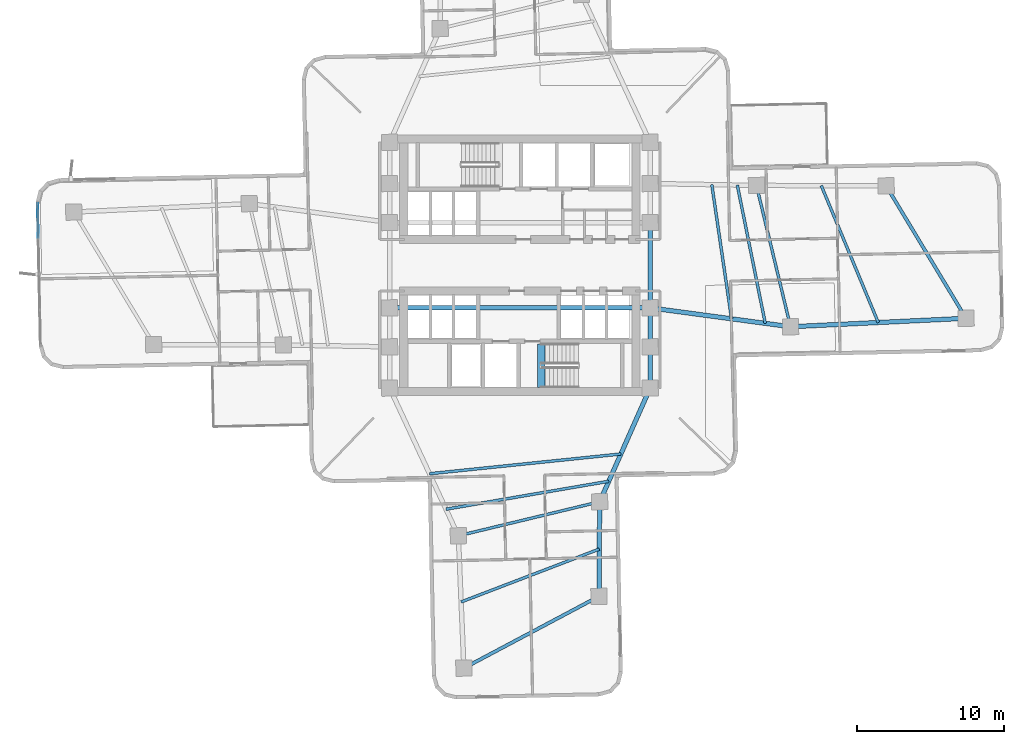
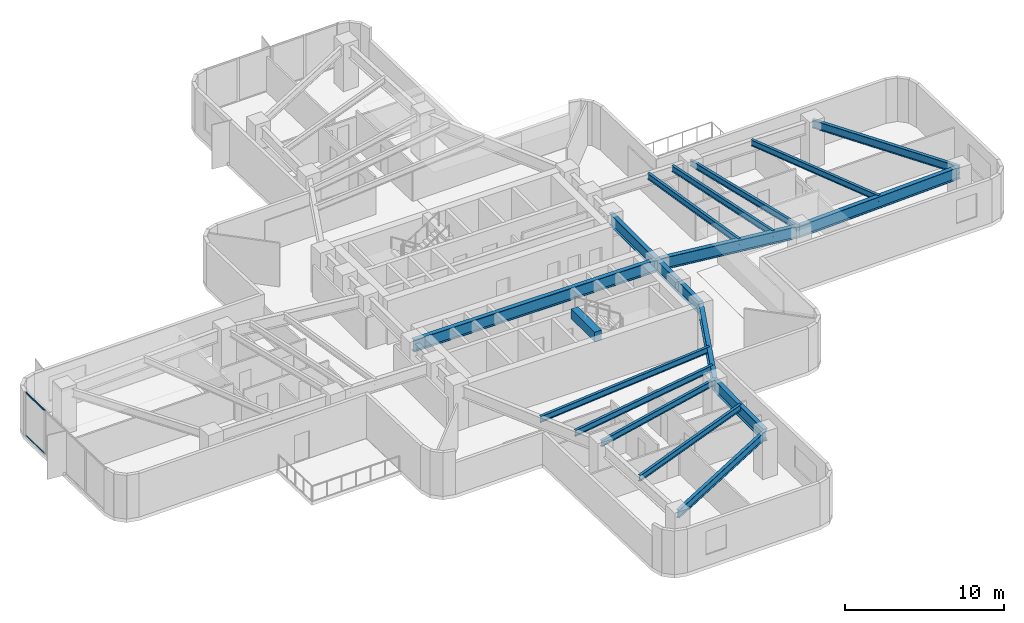
# One storey, part 3 of 15: 19 beams, 2 members, 1 element without a shape of its own.
"""IFC4 building model written with IfcOpenShell, lengths in metres."""

from ifc_helpers import new_model, si_unit, direction, frame, origin, origin_2d, place, context, subcontext, project, spatial, rectangle, i_section, extrude, material, layer, layer_set, material_profile, profile_set, type_object, element, aggregate, save


model = new_model("IFC4")

# Units and contexts
model_context = context("Model", 3, precision=1e-05, world=origin(), true_north=direction((0.0, 1.0)))
body_context = subcontext(model_context, "Body", "Model", "MODEL_VIEW")
ifc_project = project(units=[si_unit("LENGTHUNIT", "METRE"), si_unit("AREAUNIT", "SQUARE_METRE"), si_unit("VOLUMEUNIT", "CUBIC_METRE"), si_unit("PLANEANGLEUNIT", "RADIAN"), si_unit("MASSUNIT", "GRAM", prefix="KILO")], contexts=[model_context])

# Site, building, storey
site_placement = place(None, origin())
site = spatial("IfcSite", under=ifc_project, at=site_placement, CompositionType="ELEMENT")
building_placement = place(site_placement, origin())
building = spatial("IfcBuilding", under=site, at=building_placement, Name="Solmarez Civic Tower", CompositionType="ELEMENT")
storey_placement = place(building_placement, frame((0.0, 0.0, 38.8798828125)))
storey = spatial("IfcBuildingStorey", under=building, at=storey_placement, Name="L09", CompositionType="ELEMENT", Elevation=38.8798828125)

# Beams
ifc_material_1 = material(Name="Steel S355", Category="steel")
ifc_material_profile_1 = material_profile(ifc_material_1, i_section(OverallWidth=0.19189453125, OverallDepth=0.462890625, WebThickness=0.010498046875, FlangeThickness=0.017578125, at=origin_2d()), Name="W18X60")
ifc_profile_set_1 = profile_set([ifc_material_profile_1], Name="Steel S355")
beam_type_1 = type_object("IfcBeamType", Name="BM-JS-W18X60", PredefinedType="JOIST", material=ifc_profile_set_1)
beam_1_placement = place(storey_placement, frame((18.39111328125, -4.18408203125, 3.109130859375), z_axis=(-0.234328919867, 0.97215737271, 0.0), x_axis=(-0.97215737271, -0.234328919867, 0.0)))
element("IfcBeam", 1, at=beam_1_placement, inside=storey, type_object=beam_type_1, Name="L09 Secondary Floor Joist BM-L09-EA-T1", PredefinedType="JOIST", context=body_context, shape_type="SweptSolid", body=[
    extrude(i_section(OverallWidth=0.19189453125, OverallDepth=0.462890625, WebThickness=0.010498046875, FlangeThickness=0.017578125, at=origin_2d()), origin(), (0.0, 0.0, 1.0), 9.880126953125),
])
beam_2_placement = place(storey_placement, frame((24.35498046875, -3.89697265625, 3.109130859375), z_axis=(-0.384310898391, 0.923203733408, 0.0), x_axis=(-0.923203733408, -0.384310898391, 0.0)))
element("IfcBeam", 2, at=beam_2_placement, inside=storey, type_object=beam_type_1, Name="L09 Secondary Floor Joist JS-L09-EA-M2", PredefinedType="JOIST", context=body_context, shape_type="SweptSolid", body=[
    extrude(i_section(OverallWidth=0.19189453125, OverallDepth=0.462890625, WebThickness=0.010498046875, FlangeThickness=0.017578125, at=origin_2d()), origin(), (0.0, 0.0, 1.0), 10.077880859375),
])
beam_3_placement = place(storey_placement, frame((14.384033203125, -3.64501953125, 3.109130859375), z_axis=(-0.145687649447, 0.989330636743, 0.0), x_axis=(-0.989330636743, -0.145687649447, 0.0)))
element("IfcBeam", 3, at=beam_3_placement, inside=storey, type_object=beam_type_1, Name="L09 Secondary Floor Joist JS-L09-EA-M11", PredefinedType="JOIST", context=body_context, shape_type="SweptSolid", body=[
    extrude(i_section(OverallWidth=0.19189453125, OverallDepth=0.462890625, WebThickness=0.010498046875, FlangeThickness=0.017578125, at=origin_2d()), origin(), (0.0, 0.0, 1.0), 9.218505859375),
])
beam_4_placement = place(storey_placement, frame((16.674072265625, -3.952880859375, 3.109130859375), z_axis=(-0.198099134772, 0.980181989634, 0.0), x_axis=(-0.980181989634, -0.198099134772, 0.0)))
element("IfcBeam", 4, at=beam_4_placement, inside=storey, type_object=beam_type_1, Name="L09 Secondary Floor Joist JS-L09-EA-M12", PredefinedType="JOIST", context=body_context, shape_type="SweptSolid", body=[
    extrude(i_section(OverallWidth=0.19189453125, OverallDepth=0.462890625, WebThickness=0.010498046875, FlangeThickness=0.017578125, at=origin_2d()), origin(), (0.0, 0.0, 1.0), 9.5869140625),
])
beam_5_placement = place(storey_placement, frame((-4.18408203125, -18.39111328125, 3.109130859375), z_axis=(0.97215737271, 0.234328919867, 0.0), x_axis=(-0.234328919867, 0.97215737271, 0.0)))
element("IfcBeam", 5, at=beam_5_placement, inside=storey, type_object=beam_type_1, Name="L09 Secondary Floor Joist BM-L09-SA-T1", PredefinedType="JOIST", context=body_context, shape_type="SweptSolid", body=[
    extrude(i_section(OverallWidth=0.19189453125, OverallDepth=0.462890625, WebThickness=0.010498046875, FlangeThickness=0.017578125, at=origin_2d()), origin(), (0.0, 0.0, 1.0), 9.880126953125),
])
beam_6_placement = place(storey_placement, frame((-3.9951171875, -22.886962890625, 3.109130859375), z_axis=(0.933878315551, 0.357590955903, 0.0), x_axis=(-0.357590955903, 0.933878315551, 0.0)))
element("IfcBeam", 6, at=beam_6_placement, inside=storey, type_object=beam_type_1, Name="L09 Secondary Floor Joist JS-L09-SA-M2", PredefinedType="JOIST", context=body_context, shape_type="SweptSolid", body=[
    extrude(i_section(OverallWidth=0.19189453125, OverallDepth=0.462890625, WebThickness=0.010498046875, FlangeThickness=0.017578125, at=origin_2d()), origin(), (0.0, 0.0, 1.0), 10.05615234375),
])
beam_7_placement = place(storey_placement, frame((-6.14404296875, -14.174072265625, 3.109130859375), z_axis=(0.9947100999, 0.102722038325, 0.0), x_axis=(-0.102722038325, 0.9947100999, 0.0)))
element("IfcBeam", 7, at=beam_7_placement, inside=storey, type_object=beam_type_1, Name="L09 Secondary Floor Joist JS-L09-SA-M11", PredefinedType="JOIST", context=body_context, shape_type="SweptSolid", body=[
    extrude(i_section(OverallWidth=0.19189453125, OverallDepth=0.462890625, WebThickness=0.010498046875, FlangeThickness=0.017578125, at=origin_2d()), origin(), (0.0, 0.0, 1.0), 13.07421875),
])
beam_8_placement = place(storey_placement, frame((-5.02392578125, -16.583984375, 3.109130859375), z_axis=(0.985583934907, 0.169187195889, 0.0), x_axis=(-0.169187195889, 0.985583934907, 0.0)))
element("IfcBeam", 8, at=beam_8_placement, inside=storey, type_object=beam_type_1, Name="L09 Secondary Floor Joist JS-L09-SA-M12", PredefinedType="JOIST", context=body_context, shape_type="SweptSolid", body=[
    extrude(i_section(OverallWidth=0.19189453125, OverallDepth=0.462890625, WebThickness=0.010498046875, FlangeThickness=0.017578125, at=origin_2d()), origin(), (0.0, 0.0, 1.0), 11.223876953125),
])
ifc_material_2 = material(Name="Concrete C50/60", Category="concrete")
ifc_material_profile_2 = material_profile(ifc_material_2, rectangle(XDim=0.5, YDim=0.75, at=origin_2d()), Name="RC500X750")
ifc_profile_set_2 = profile_set([ifc_material_profile_2], Name="Concrete C50/60")
beam_type_2 = type_object("IfcBeamType", Name="BM-PR-RC500X750", PredefinedType="BEAM", material=ifc_profile_set_2)
beam_9_placement = place(storey_placement, frame((1.449951171875, -8.300048828125, 3.233154296875), z_axis=(0.0, 1.0, 0.0), x_axis=(-1.0, 0.0, 0.0)))
element("IfcBeam", 9, at=beam_9_placement, inside=storey, type_object=beam_type_2, Name="L09 South Stair Threshold Beam", PredefinedType="BEAM", context=body_context, shape_type="SweptSolid", body=[
    extrude(rectangle(XDim=0.5, YDim=0.75, at=origin_2d()), origin(), (0.0, 0.0, 1.0), 2.9599609375),
])
ifc_material_profile_3 = material_profile(ifc_material_1, i_section(OverallWidth=0.303955078125, OverallDepth=0.910888671875, WebThickness=0.015869140625, FlangeThickness=0.02392578125, at=origin_2d()), Name="W36X150")
ifc_profile_set_3 = profile_set([ifc_material_profile_3], Name="Steel S355")
beam_type_3 = type_object("IfcBeamType", Name="BM-PR-W36X150", PredefinedType="BEAM", material=ifc_profile_set_3)
beam_10_placement = place(storey_placement, frame((8.85009765625, -2.89990234375, 2.884033203125), z_axis=(0.991063240718, -0.133392851745, 0.0), x_axis=(0.133392851745, 0.991063240718, 0.0)))
element("IfcBeam", 10, at=beam_10_placement, inside=storey, type_object=beam_type_3, Name="L09 Primary Floor Beam BM-L09-EA-R1A", PredefinedType="BEAM", context=body_context, shape_type="SweptSolid", body=[
    extrude(i_section(OverallWidth=0.303955078125, OverallDepth=0.910888671875, WebThickness=0.015869140625, FlangeThickness=0.02392578125, at=origin_2d()), origin(), (0.0, 0.0, 1.0), 9.626953125),
])
beam_11_placement = place(storey_placement, frame((18.39111328125, -4.18408203125, 2.884033203125), z_axis=(0.998839135977, 0.048170327398, 0.0), x_axis=(-0.048170327398, 0.998839135977, 0.0)))
element("IfcBeam", 11, at=beam_11_placement, inside=storey, type_object=beam_type_3, Name="L09 Primary Floor Beam BM-L09-EA-R2A", PredefinedType="BEAM", context=body_context, shape_type="SweptSolid", body=[
    extrude(i_section(OverallWidth=0.303955078125, OverallDepth=0.910888671875, WebThickness=0.015869140625, FlangeThickness=0.02392578125, at=origin_2d()), origin(), (0.0, 0.0, 1.0), 11.94091796875),
])
beam_12_placement = place(storey_placement, frame((8.85009765625, -8.35009765625, 2.884033203125), z_axis=(-0.405693556952, -0.914009156326, 0.0), x_axis=(0.914009156326, -0.405693556952, 0.0)))
element("IfcBeam", 12, at=beam_12_placement, inside=storey, type_object=beam_type_3, Name="L09 Primary Floor Beam BM-L09-SA-R1B", PredefinedType="BEAM", context=body_context, shape_type="SweptSolid", body=[
    extrude(i_section(OverallWidth=0.303955078125, OverallDepth=0.910888671875, WebThickness=0.015869140625, FlangeThickness=0.02392578125, at=origin_2d()), origin(), (0.0, 0.0, 1.0), 8.45263671875),
])
beam_13_placement = place(storey_placement, frame((5.4208984375, -16.075927734375, 2.884033203125), z_axis=(-0.007592219108, -0.999971178689, 0.0), x_axis=(0.999971178689, -0.007592219108, 0.0)))
element("IfcBeam", 13, at=beam_13_placement, inside=storey, type_object=beam_type_3, Name="L09 Primary Floor Beam BM-L09-SA-R2B", PredefinedType="BEAM", context=body_context, shape_type="SweptSolid", body=[
    extrude(i_section(OverallWidth=0.303955078125, OverallDepth=0.910888671875, WebThickness=0.015869140625, FlangeThickness=0.02392578125, at=origin_2d()), origin(), (0.0, 0.0, 1.0), 6.431396484375),
])
ifc_material_profile_4 = material_profile(ifc_material_1, i_section(OverallWidth=0.306884765625, OverallDepth=0.927001953125, WebThickness=0.019287109375, FlangeThickness=0.031982421875, at=origin_2d()), Name="W36X194")
ifc_profile_set_4 = profile_set([ifc_material_profile_4], Name="Steel S355")
beam_type_4 = type_object("IfcBeamType", Name="BM-PR-W36X194", PredefinedType="BEAM", material=ifc_profile_set_4)
beam_14_placement = place(storey_placement, frame((8.85009765625, -8.35009765625, 2.876220703125), z_axis=(0.0, 1.0, 0.0), x_axis=(-1.0, 0.0, 0.0)))
element("IfcBeam", 14, at=beam_14_placement, inside=storey, type_object=beam_type_4, Name="L09 Primary Floor Beam BM-L09-HC10-HC5", PredefinedType="BEAM", context=body_context, shape_type="SweptSolid", body=[
    extrude(i_section(OverallWidth=0.306884765625, OverallDepth=0.927001953125, WebThickness=0.019287109375, FlangeThickness=0.031982421875, at=origin_2d()), origin(), (0.0, 0.0, 1.0), 2.800048828125),
])
beam_15_placement = place(storey_placement, frame((8.85009765625, -5.550048828125, 2.876220703125), z_axis=(0.0, 1.0, 0.0), x_axis=(-1.0, 0.0, 0.0)))
element("IfcBeam", 15, at=beam_15_placement, inside=storey, type_object=beam_type_4, Name="L09 Primary Floor Beam BM-L09-HC5-HC6", PredefinedType="BEAM", context=body_context, shape_type="SweptSolid", body=[
    extrude(i_section(OverallWidth=0.306884765625, OverallDepth=0.927001953125, WebThickness=0.019287109375, FlangeThickness=0.031982421875, at=origin_2d()), origin(), (0.0, 0.0, 1.0), 2.650146484375),
])
beam_16_placement = place(storey_placement, frame((8.85009765625, -2.89990234375, 2.876220703125), z_axis=(0.0, 1.0, 0.0), x_axis=(-1.0, 0.0, 0.0)))
element("IfcBeam", 16, at=beam_16_placement, inside=storey, type_object=beam_type_4, Name="L09 Primary Floor Beam BM-L09-HC6-HC7", PredefinedType="BEAM", context=body_context, shape_type="SweptSolid", body=[
    extrude(i_section(OverallWidth=0.306884765625, OverallDepth=0.927001953125, WebThickness=0.019287109375, FlangeThickness=0.031982421875, at=origin_2d()), origin(), (0.0, 0.0, 1.0), 5.7998046875),
])
beam_17_placement = place(storey_placement, frame((-8.85009765625, -2.89990234375, 2.876220703125), z_axis=(1.0, 0.0, 0.0), x_axis=(0.0, 1.0, 0.0)))
element("IfcBeam", 17, at=beam_17_placement, inside=storey, type_object=beam_type_4, Name="L09 Primary Floor Beam BM-L09-HC2-HC6", PredefinedType="BEAM", context=body_context, shape_type="SweptSolid", body=[
    extrude(i_section(OverallWidth=0.306884765625, OverallDepth=0.927001953125, WebThickness=0.019287109375, FlangeThickness=0.031982421875, at=origin_2d()), origin(), (0.0, 0.0, 1.0), 17.7001953125),
])
ifc_material_profile_5 = material_profile(ifc_material_1, i_section(OverallWidth=0.22900390625, OverallDepth=0.612060546875, WebThickness=0.011962890625, FlangeThickness=0.01953125, at=origin_2d()), Name="W24X84")
ifc_profile_set_5 = profile_set([ifc_material_profile_5], Name="Steel S355")
beam_type_5 = type_object("IfcBeamType", Name="BM-SP-W24X84", PredefinedType="SPANDREL", material=ifc_profile_set_5)
beam_18_placement = place(storey_placement, frame((30.318115234375, -3.60888671875, 3.0341796875), z_axis=(-0.516522901024, 0.856273374991, 0.0), x_axis=(-0.856273374991, -0.516522901024, 0.0)))
element("IfcBeam", 18, at=beam_18_placement, inside=storey, type_object=beam_type_5, Name="L09 Perimeter Spandrel Beam BM-L09-EA-T2", PredefinedType="SPANDREL", context=body_context, shape_type="SweptSolid", body=[
    extrude(i_section(OverallWidth=0.22900390625, OverallDepth=0.612060546875, WebThickness=0.011962890625, FlangeThickness=0.01953125, at=origin_2d()), origin(), (0.0, 0.0, 1.0), 10.512939453125),
])
beam_19_placement = place(storey_placement, frame((-3.806884765625, -27.383056640625, 3.0341796875), z_axis=(0.883129404808, 0.469129464394, 0.0), x_axis=(-0.469129464394, 0.883129404808, 0.0)))
element("IfcBeam", 19, at=beam_19_placement, inside=storey, type_object=beam_type_5, Name="L09 Perimeter Spandrel Beam BM-L09-SA-T2", PredefinedType="SPANDREL", context=body_context, shape_type="SweptSolid", body=[
    extrude(i_section(OverallWidth=0.22900390625, OverallDepth=0.612060546875, WebThickness=0.011962890625, FlangeThickness=0.01953125, at=origin_2d()), origin(), (0.0, 0.0, 1.0), 10.3935546875),
])

# Curtain wall, members
ifc_material_3 = material(Name="Bronze Anodised Aluminium EN AW-6063 T6", Category="aluminium")
ifc_layer = layer(ifc_material_3, 0.155029296875)
ifc_layer_set = layer_set([ifc_layer], Name="Bronze Anodised Aluminium EN AW-6063 T6")
curtain_wall_type = type_object("IfcCurtainWallType", Name="CW-SYS-6", PredefinedType="NOTDEFINED", material=ifc_layer_set)
curtain_wall_placement = place(storey_placement, origin())
curtain_wall = element("IfcCurtainWall", 20, at=curtain_wall_placement, inside=storey, type_object=curtain_wall_type, Name="L09 Stick-Built Curtain Wall 1", PredefinedType="NOTDEFINED")
ifc_material_profile_6 = material_profile(ifc_material_3, rectangle(XDim=0.06005859375, YDim=0.110107421875, at=origin_2d()), Name="CWT-60X110")
ifc_profile_set_6 = profile_set([ifc_material_profile_6], Name="Bronze Anodised Aluminium EN AW-6063 T6")
member_type = type_object("IfcMemberType", Name="CWT-TYPE-3", PredefinedType="USERDEFINED", material=ifc_profile_set_6)
member_1_placement = place(storey_placement, frame((-32.7265625, 1.874755859375, 0.030029296875), z_axis=(-0.020972217891, 0.999780058851, 0.0), x_axis=(-0.999780058851, -0.020972217891, 0.0)))
member_1 = element("IfcMember", 21, at=member_1_placement, type_object=member_type, Name="CWS6 transom 4.1", ObjectType="TRANSOM", PredefinedType="USERDEFINED", context=body_context, shape_type="SweptSolid", body=[
    extrude(rectangle(XDim=0.06005859375, YDim=0.110107421875, at=origin_2d()), origin(), (0.0, 0.0, 1.0), 2.33984375),
])
member_2_placement = place(storey_placement, frame((-32.7265625, 1.874755859375, 3.31005859375), z_axis=(-0.020972217891, 0.999780058851, 0.0), x_axis=(-0.999780058851, -0.020972217891, 0.0)))
member_2 = element("IfcMember", 22, at=member_2_placement, type_object=member_type, Name="CWS6 transom 4.2", ObjectType="TRANSOM", PredefinedType="USERDEFINED", context=body_context, shape_type="SweptSolid", body=[
    extrude(rectangle(XDim=0.06005859375, YDim=0.110107421875, at=origin_2d()), origin(), (0.0, 0.0, 1.0), 2.33984375),
])
aggregate(curtain_wall, [member_1, member_2])

save(model, "model.ifc")
